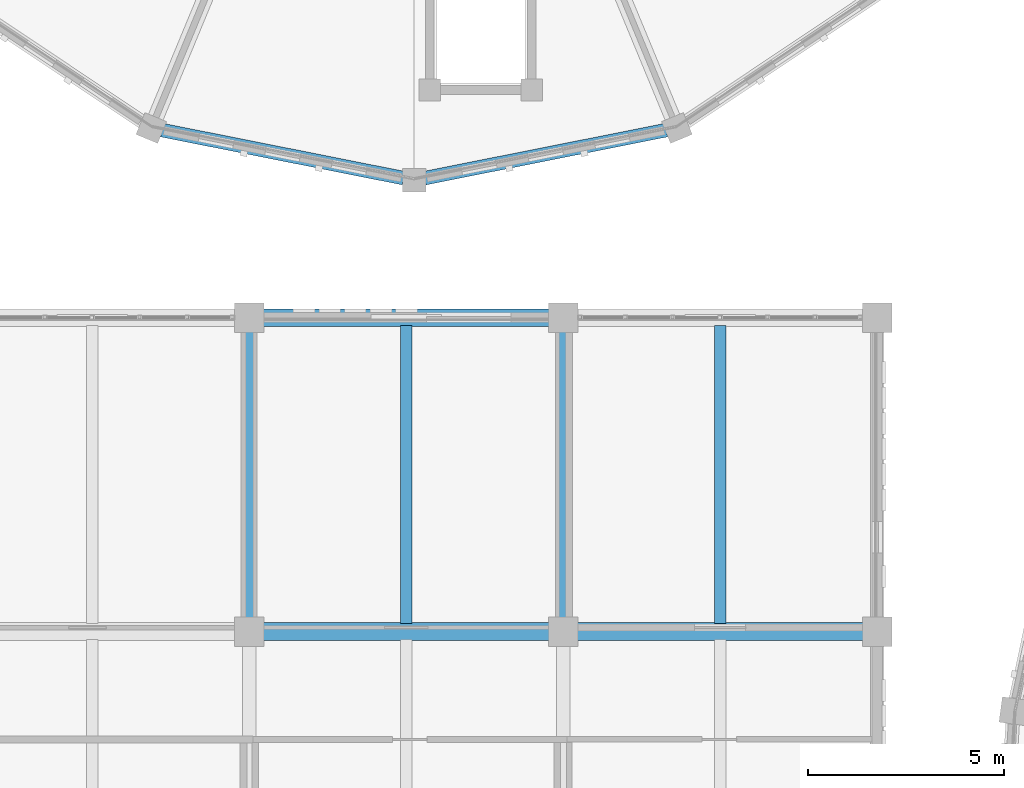
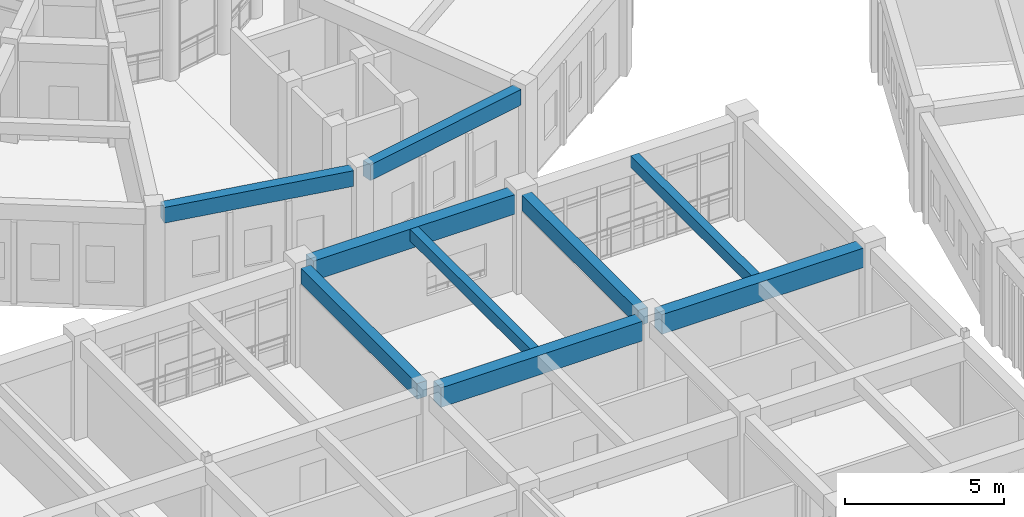
# One storey, part 50 of 159: 9 beams.
"""IFC4 building model written with IfcOpenShell, lengths in metres."""

from ifc_helpers import new_model, si_unit, direction, frame, origin, origin_2d, place, context, subcontext, project, spatial, rectangle, extrude, material, material_profile, profile_set, type_object, element, save


model = new_model("IFC4")

# Units and contexts
model_context = context("Model", 3, precision=1e-05, world=origin(), true_north=direction((0.0, 1.0)))
body_context = subcontext(model_context, "Body", "Model", "MODEL_VIEW")
ifc_project = project(units=[si_unit("LENGTHUNIT", "METRE"), si_unit("AREAUNIT", "SQUARE_METRE"), si_unit("VOLUMEUNIT", "CUBIC_METRE"), si_unit("PLANEANGLEUNIT", "RADIAN"), si_unit("MASSUNIT", "GRAM", prefix="KILO")], contexts=[model_context])

# Site, building, storey
site_placement = place(None, origin())
site = spatial("IfcSite", under=ifc_project, at=site_placement, CompositionType="ELEMENT")
building_placement = place(site_placement, origin())
building = spatial("IfcBuilding", under=site, at=building_placement, Name="Celadon Cloister-Ring School", CompositionType="ELEMENT")
storey_placement = place(building_placement, frame((0.0, 0.0, 4.5)))
storey = spatial("IfcBuildingStorey", under=building, at=storey_placement, Name="L01", CompositionType="ELEMENT", Elevation=4.5)

# Beams
ifc_material_1 = material(Name="Concrete C35/45", Category="concrete")
ifc_material_profile_1 = material_profile(ifc_material_1, rectangle(XDim=0.35009765625, YDim=0.60009765625, at=origin_2d()), Name="RC350X600")
ifc_profile_set_1 = profile_set([ifc_material_profile_1], Name="Concrete C35/45")
beam_type_1 = type_object("IfcBeamType", Name="BT-02", PredefinedType="BEAM", material=ifc_profile_set_1)
for number, where, z_axis, x_axis, name in (
    (1, (16.0, 68.35009765625, 3.43994140625), (0.0, 1.0, 0.0), (-1.0, 0.0, 0.0), "Beam 1538"),
    (2, (24.0, 68.35009765625, 3.43994140625), (0.0, 1.0, 0.0), (-1.0, 0.0, 0.0), "Beam 1543"),
):
    element("IfcBeam", number, at=place(storey_placement, frame(where, z_axis=z_axis, x_axis=x_axis)), inside=storey, type_object=beam_type_1, Name=name, PredefinedType="BEAM", context=body_context, shape_type="SweptSolid", body=[
        extrude(rectangle(XDim=0.35009765625, YDim=0.60009765625, at=origin_2d()), origin(), (0.0, 0.0, 1.0), 7.2998046875),
    ])
ifc_material_2 = material(Name="Concrete C35/45", Category="concrete")
ifc_material_profile_2 = material_profile(ifc_material_2, rectangle(XDim=0.449951171875, YDim=0.75, at=origin_2d()), Name="RC450X750")
ifc_profile_set_2 = profile_set([ifc_material_profile_2], Name="Concrete C35/45")
beam_type_2 = type_object("IfcBeamType", Name="GT-02", PredefinedType="USERDEFINED", material=ifc_profile_set_2)
for number, where, z_axis, x_axis, name in (
    (3, (16.35009765625, 68.0, 3.364990234375), (1.0, 0.0, 0.0), (0.0, 1.0, 0.0), "Beam 1529"),
    (4, (24.35009765625, 68.0, 3.364990234375), (1.0, 0.0, 0.0), (0.0, 1.0, 0.0), "Beam 1530"),
    (5, (16.35009765625, 76.0, 3.364990234375), (1.0, 0.0, 0.0), (0.0, 1.0, 0.0), "Beam 1533"),
):
    element("IfcBeam", number, at=place(storey_placement, frame(where, z_axis=z_axis, x_axis=x_axis)), inside=storey, type_object=beam_type_2, Name=name, ObjectType="GIRDER", PredefinedType="USERDEFINED", context=body_context, shape_type="SweptSolid", body=[
        extrude(rectangle(XDim=0.449951171875, YDim=0.75, at=origin_2d()), origin(), (0.0, 0.0, 1.0), 7.2998046875),
    ])
ifc_material_3 = material(Name="Concrete C35/45", Category="concrete")
ifc_material_profile_3 = material_profile(ifc_material_3, rectangle(XDim=0.300048828125, YDim=0.449951171875, at=origin_2d()), Name="RC300X450")
ifc_profile_set_3 = profile_set([ifc_material_profile_3], Name="Concrete C35/45")
beam_type_3 = type_object("IfcBeamType", Name="JT-01", PredefinedType="JOIST", material=ifc_profile_set_3)
for number, where, z_axis, x_axis, name in (
    (6, (20.0, 68.199951171875, 3.514892578125), (0.0, 1.0, 0.0), (-1.0, 0.0, 0.0), "Beam 1554"),
    (7, (28.0, 68.199951171875, 3.514892578125), (0.0, 1.0, 0.0), (-1.0, 0.0, 0.0), "Beam 1557"),
):
    element("IfcBeam", number, at=place(storey_placement, frame(where, z_axis=z_axis, x_axis=x_axis)), inside=storey, type_object=beam_type_3, Name=name, PredefinedType="JOIST", context=body_context, shape_type="SweptSolid", body=[
        extrude(rectangle(XDim=0.300048828125, YDim=0.449951171875, at=origin_2d()), origin(), (0.0, 0.0, 1.0), 7.60009765625),
    ])
ifc_material_4 = material(Name="Concrete C35/45", Category="concrete")
ifc_material_profile_4 = material_profile(ifc_material_4, rectangle(XDim=0.35009765625, YDim=0.60009765625, at=origin_2d()), Name="RC350X600")
ifc_profile_set_4 = profile_set([ifc_material_profile_4], Name="Concrete C35/45")
beam_type_4 = type_object("IfcBeamType", Name="SP-01", PredefinedType="SPANDREL", material=ifc_profile_set_4)
for number, where, z_axis, x_axis, name in (
    (8, (13.77294921875, 80.778076171875, 3.47998046875), (0.980802920261, -0.195001619501, 0.0), (0.195001619501, 0.980802920261, 0.0), "Beam 0720"),
    (9, (20.469970703125, 79.553955078125, 3.47998046875), (0.980802920261, 0.195001619501, 0.0), (-0.195001619501, 0.980802920261, 0.0), "Beam 0722"),
):
    element("IfcBeam", number, at=place(storey_placement, frame(where, z_axis=z_axis, x_axis=x_axis)), inside=storey, type_object=beam_type_4, Name=name, PredefinedType="SPANDREL", context=body_context, shape_type="SweptSolid", body=[
        extrude(rectangle(XDim=0.35009765625, YDim=0.60009765625, at=origin_2d()), origin(), (0.0, 0.0, 1.0), 6.277587890625),
    ])

save(model, "model.ifc")
